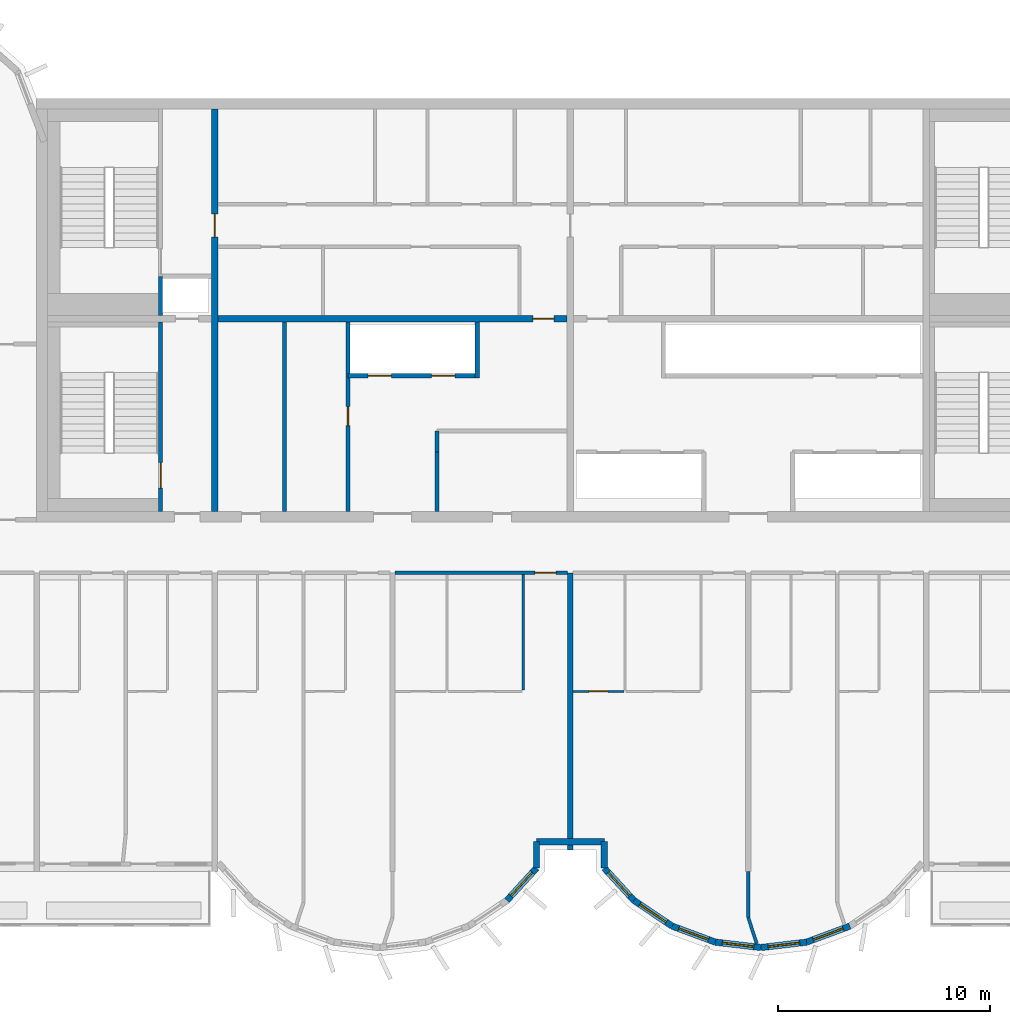
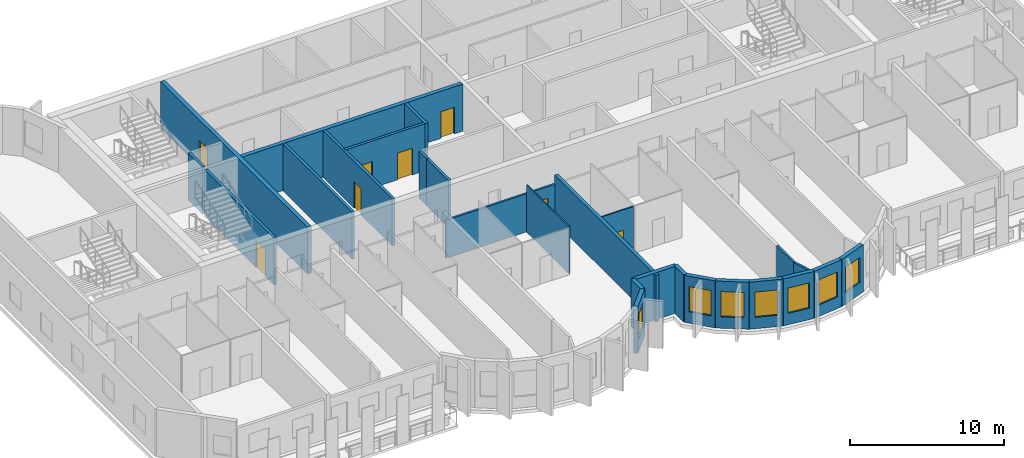
# One storey, part 4 of 12: 26 walls, 8 doors, 7 windows, 15 openings.
"""IFC4 building model written with IfcOpenShell, lengths in metres."""

from ifc_helpers import new_model, si_unit, direction, frame, frame_2d, origin, place, context, subcontext, project, spatial, rectangle, extrude, source, transform, mapped, material, layer, layer_set, type_object, element, fill, save


model = new_model("IFC4")

# Units and contexts
model_context = context("Model", 3, precision=1e-05, world=origin(), true_north=direction((0.0, 1.0)))
body_context = subcontext(model_context, "Body", "Model", "MODEL_VIEW")
ifc_project = project(units=[si_unit("LENGTHUNIT", "METRE"), si_unit("AREAUNIT", "SQUARE_METRE"), si_unit("VOLUMEUNIT", "CUBIC_METRE"), si_unit("PLANEANGLEUNIT", "RADIAN"), si_unit("MASSUNIT", "GRAM", prefix="KILO")], contexts=[model_context])

# Site, building, storey
site_placement = place(None, origin())
site = spatial("IfcSite", under=ifc_project, at=site_placement, CompositionType="ELEMENT")
building_placement = place(site_placement, origin())
building = spatial("IfcBuilding", under=site, at=building_placement, Name="Vanashikhar Sky Hotel", CompositionType="ELEMENT")
storey_placement = place(building_placement, frame((0.0, 0.0, 297.699951171875)))
storey = spatial("IfcBuildingStorey", under=building, at=storey_placement, Name="L71", CompositionType="ELEMENT", Elevation=297.699951171875)

# Wall, opening, door
ifc_material_1 = material(Name="Concrete M50", Category="concrete")
ifc_layer_1 = layer(ifc_material_1, 0.300048828125)
ifc_layer_set_1 = layer_set([ifc_layer_1], Name="RC core inner wall 300 Concrete M50")
wall_type_1 = type_object("IfcWallType", Name="RC core inner wall 300 Concrete M50", PredefinedType="SHEAR", material=ifc_layer_set_1)
shared_shape_1 = source(origin(), body_context, "Body", "SweptSolid", [
    extrude(rectangle(XDim=19.0, YDim=0.300048828125, at=frame_2d((9.5, 0.0))), origin(), (0.0, 0.0, 1.0), 3.719970703125),
])
wall_1_placement = place(storey_placement, frame((33.60009765625, 22.5, 0.0), z_axis=(0.0, 0.0, 1.0), x_axis=(0.0, 1.0, 0.0)))
wall_1 = element("IfcWall", 1, at=wall_1_placement, inside=storey, type_object=wall_type_1, Name="KW-L71-KX1", PredefinedType="SHEAR", context=body_context, shape_type="MappedRepresentation", body=[
    mapped(shared_shape_1, transform((0.0, 0.0, 0.0), scale=1.0)),
])
shared_shape_2 = source(origin(), body_context, "Body", "SweptSolid", [
    extrude(rectangle(XDim=1.10009765625, YDim=2.10009765625, at=frame_2d((0.550048828125, 1.050048828125))), frame((0.0, 0.16015625, 0.0), z_axis=(0.0, -1.0, 0.0), x_axis=(1.0, 0.0, 0.0)), (0.0, 0.0, 1.0), 0.320068359375),
])
opening_1_placement = place(wall_1_placement, frame((12.949951171875, 0.0, 0.0)))
opening_1 = element("IfcOpeningElement", 2, at=opening_1_placement, cuts=wall_1, Name="Opening DC-4-C", PredefinedType="OPENING", context=body_context, shape_type="MappedRepresentation", body=[
    mapped(shared_shape_2, transform((0.0, 0.0, 0.0), scale=1.0)),
])
ifc_material_2 = material(Name="Steel", Category="steel")
door_type_1 = type_object("IfcDoorType", Name="Service door 1100 FD60", OperationType="NOTDEFINED", PredefinedType="DOOR", material=ifc_material_2)
shared_shape_3 = source(origin(), body_context, "Body", "SweptSolid", [
    extrude(rectangle(XDim=1.10009765625, YDim=2.10009765625, at=frame_2d((0.550048828125, 1.050048828125))), frame((0.0, 0.02490234375, 0.0), z_axis=(0.0, -1.0, 0.0), x_axis=(1.0, 0.0, 0.0)), (0.0, 0.0, 1.0), 0.050048828125),
])
door_1_placement = place(opening_1_placement, origin())
door_1 = element("IfcDoor", 3, at=door_1_placement, inside=storey, type_object=door_type_1, Name="Service door 1100 FD60", OperationType="SINGLE_SWING_RIGHT", OverallHeight=2.10009765625, OverallWidth=1.10009765625, PredefinedType="DOOR", context=body_context, shape_type="MappedRepresentation", body=[
    mapped(shared_shape_3, transform((0.0, 0.0, 0.0), scale=1.0)),
])
fill(opening_1, door_1)

shared_shape_4 = source(origin(), body_context, "Body", "SweptSolid", [
    extrude(rectangle(XDim=16.5, YDim=0.300048828125, at=frame_2d((8.25, 0.0))), origin(), (0.0, 0.0, 1.0), 3.719970703125),
])
wall_2_placement = place(storey_placement, frame((33.75, 31.60009765625, 0.0), z_axis=(0.0, 0.0, 1.0), x_axis=(1.0, 0.0, 0.0)))
wall_2 = element("IfcWall", 4, at=wall_2_placement, inside=storey, type_object=wall_type_1, Name="KW-L71-KY2", PredefinedType="SHEAR", context=body_context, shape_type="MappedRepresentation", body=[
    mapped(shared_shape_4, transform((0.0, 0.0, 0.0), scale=1.0)),
])
shared_shape_5 = source(origin(), body_context, "Body", "SweptSolid", [
    extrude(rectangle(XDim=1.0, YDim=2.10009765625, at=frame_2d((0.5, 1.050048828125))), frame((0.0, 0.16015625, 0.0), z_axis=(0.0, -1.0, 0.0), x_axis=(1.0, 0.0, 0.0)), (0.0, 0.0, 1.0), 0.320068359375),
])
opening_2_placement = place(wall_2_placement, frame((14.875, 0.0, 0.0)))
opening_2 = element("IfcOpeningElement", 5, at=opening_2_placement, cuts=wall_2, Name="Opening DC-4", PredefinedType="OPENING", context=body_context, shape_type="MappedRepresentation", body=[
    mapped(shared_shape_5, transform((0.0, 0.0, 0.0), scale=1.0)),
])
door_type_2 = type_object("IfcDoorType", Name="Service door 1000 FD60", OperationType="NOTDEFINED", PredefinedType="DOOR", material=ifc_material_2)
shared_shape_6 = source(origin(), body_context, "Body", "SweptSolid", [
    extrude(rectangle(XDim=1.0, YDim=2.10009765625, at=frame_2d((0.5, 1.050048828125))), frame((0.0, 0.02490234375, 0.0), z_axis=(0.0, -1.0, 0.0), x_axis=(1.0, 0.0, 0.0)), (0.0, 0.0, 1.0), 0.050048828125),
])
door_2_placement = place(opening_2_placement, origin())
door_2 = element("IfcDoor", 6, at=door_2_placement, inside=storey, type_object=door_type_2, Name="Service door 1000 FD60", OperationType="SINGLE_SWING_LEFT", OverallHeight=2.10009765625, OverallWidth=1.0, PredefinedType="DOOR", context=body_context, shape_type="MappedRepresentation", body=[
    mapped(shared_shape_6, transform((0.0, 0.0, 0.0), scale=1.0)),
])
fill(opening_2, door_2)

# Wall
ifc_layer_2 = layer(ifc_material_1, 0.25)
ifc_layer_set_2 = layer_set([ifc_layer_2], Name="RC shear wall 250 Concrete M50")
wall_type_2 = type_object("IfcWallType", Name="RC shear wall 250 Concrete M50", PredefinedType="SHEAR", material=ifc_layer_set_2)
shared_shape_7 = source(origin(), body_context, "Body", "SweptSolid", [
    extrude(rectangle(XDim=13.10009765625, YDim=0.25, at=frame_2d((6.550048828125, 0.0))), origin(), (0.0, 0.0, 1.0), 3.719970703125),
])
wall_3_placement = place(storey_placement, frame((50.39990234375, 6.5, 0.0), z_axis=(0.0, 0.0, 1.0), x_axis=(0.0, 1.0, 0.0)))
element("IfcWall", 7, at=wall_3_placement, inside=storey, type_object=wall_type_2, Name="CW-L71-XW07-1", PredefinedType="SHEAR", context=body_context, shape_type="MappedRepresentation", body=[
    mapped(shared_shape_7, transform((0.0, 0.0, 0.0), scale=1.0)),
])

# Wall, opening, window
ifc_layer_3 = layer(ifc_material_1, 0.300048828125)
ifc_layer_set_3 = layer_set([ifc_layer_3], Name="Lobe wall 300")
wall_type_3 = type_object("IfcWallType", Name="Lobe wall 300", PredefinedType="SOLIDWALL", material=ifc_layer_set_3)
shared_shape_8 = source(origin(), body_context, "Body", "SweptSolid", [
    extrude(rectangle(XDim=2.17578125, YDim=0.300048828125, at=frame_2d((1.087890625, 0.0))), origin(), (0.0, 0.0, 1.0), 3.719970703125),
])
wall_4_placement = place(storey_placement, frame((53.395751953125, 4.13134765625, 0.0), z_axis=(0.0, 0.0, 1.0), x_axis=(0.829590746428, -0.558371913192, 0.0)))
wall_4 = element("IfcWall", 8, at=wall_4_placement, inside=storey, type_object=wall_type_3, Name="Lobe wall", PredefinedType="SOLIDWALL", context=body_context, shape_type="MappedRepresentation", body=[
    mapped(shared_shape_8, transform((0.0, 0.0, 0.0), scale=1.0)),
])
shared_shape_9 = source(origin(), body_context, "Body", "SweptSolid", [
    extrude(rectangle(XDim=1.5, YDim=2.0, at=frame_2d((0.75, 1.0))), frame((0.0, 0.16015625, 0.0), z_axis=(0.0, -1.0, 0.0), x_axis=(1.0, 0.0, 0.0)), (0.0, 0.0, 1.0), 0.320068359375),
])
opening_3_placement = place(wall_4_placement, frame((0.337890625, 0.0, 0.89990234375)))
opening_3 = element("IfcOpeningElement", 9, at=opening_3_placement, cuts=wall_4, Name="Opening WN-2", PredefinedType="OPENING", context=body_context, shape_type="MappedRepresentation", body=[
    mapped(shared_shape_9, transform((0.0, 0.0, 0.0), scale=1.0)),
])
ifc_material_3 = material(Name="Glass", Category="glass")
window_type = type_object("IfcWindowType", Name="Lobe window 1500 x 2000", PartitioningType="SINGLE_PANEL", PredefinedType="WINDOW", material=ifc_material_3)
shared_shape_10 = source(origin(), body_context, "Body", "SweptSolid", [
    extrude(rectangle(XDim=1.5, YDim=2.0, at=frame_2d((0.75, 1.0))), frame((0.0, 0.030029296875, 0.0), z_axis=(0.0, -1.0, 0.0), x_axis=(1.0, 0.0, 0.0)), (0.0, 0.0, 1.0), 0.06005859375),
])
window_1_placement = place(opening_3_placement, origin())
window_1 = element("IfcWindow", 10, at=window_1_placement, inside=storey, type_object=window_type, Name="Window WN-2", OverallHeight=2.0, OverallWidth=1.5, PartitioningType="SINGLE_PANEL", PredefinedType="WINDOW", context=body_context, shape_type="MappedRepresentation", body=[
    mapped(shared_shape_10, transform((0.0, 0.0, 0.0), scale=1.0)),
])
fill(opening_3, window_1)

wall_5_placement = place(storey_placement, frame((55.20068359375, 2.91650390625, 0.0), z_axis=(0.0, 0.0, 1.0), x_axis=(0.93754555999, -0.347862505801, 0.0)))
wall_5 = element("IfcWall", 11, at=wall_5_placement, inside=storey, type_object=wall_type_3, Name="Lobe wall", PredefinedType="SOLIDWALL", context=body_context, shape_type="MappedRepresentation", body=[
    mapped(shared_shape_8, transform((0.0, 0.0, 0.0), scale=1.0)),
])
opening_4_placement = place(wall_5_placement, frame((0.337890625, 0.0, 0.89990234375)))
opening_4 = element("IfcOpeningElement", 12, at=opening_4_placement, cuts=wall_5, Name="Opening WN-2", PredefinedType="OPENING", context=body_context, shape_type="MappedRepresentation", body=[
    mapped(shared_shape_9, transform((0.0, 0.0, 0.0), scale=1.0)),
])
window_2_placement = place(opening_4_placement, origin())
window_2 = element("IfcWindow", 13, at=window_2_placement, inside=storey, type_object=window_type, Name="Window WN-2", OverallHeight=2.0, OverallWidth=1.5, PartitioningType="SINGLE_PANEL", PredefinedType="WINDOW", context=body_context, shape_type="MappedRepresentation", body=[
    mapped(shared_shape_10, transform((0.0, 0.0, 0.0), scale=1.0)),
])
fill(opening_4, window_2)

shared_shape_11 = source(origin(), body_context, "Body", "SweptSolid", [
    extrude(rectangle(XDim=2.174560546875, YDim=0.300048828125, at=frame_2d((1.08740234375, 0.0))), origin(), (0.0, 0.0, 1.0), 3.719970703125),
])
wall_6_placement = place(storey_placement, frame((57.240478515625, 2.15966796875, 0.0), z_axis=(0.0, 0.0, 1.0), x_axis=(0.993001132889, -0.118104826659, 0.0)))
wall_6 = element("IfcWall", 14, at=wall_6_placement, inside=storey, type_object=wall_type_3, Name="Lobe wall", PredefinedType="SOLIDWALL", context=body_context, shape_type="MappedRepresentation", body=[
    mapped(shared_shape_11, transform((0.0, 0.0, 0.0), scale=1.0)),
])
opening_5_placement = place(wall_6_placement, frame((0.33740234375, 0.0, 0.89990234375)))
opening_5 = element("IfcOpeningElement", 15, at=opening_5_placement, cuts=wall_6, Name="Opening WN-2", PredefinedType="OPENING", context=body_context, shape_type="MappedRepresentation", body=[
    mapped(shared_shape_9, transform((0.0, 0.0, 0.0), scale=1.0)),
])
window_3_placement = place(opening_5_placement, origin())
window_3 = element("IfcWindow", 16, at=window_3_placement, inside=storey, type_object=window_type, Name="Window WN-2", OverallHeight=2.0, OverallWidth=1.5, PartitioningType="SINGLE_PANEL", PredefinedType="WINDOW", context=body_context, shape_type="MappedRepresentation", body=[
    mapped(shared_shape_10, transform((0.0, 0.0, 0.0), scale=1.0)),
])
fill(opening_5, window_3)

shared_shape_12 = source(origin(), body_context, "Body", "SweptSolid", [
    extrude(rectangle(XDim=2.1748046875, YDim=0.300048828125, at=frame_2d((1.08740234375, 0.0))), origin(), (0.0, 0.0, 1.0), 3.719970703125),
])
wall_7_placement = place(storey_placement, frame((59.39990234375, 1.90283203125, 0.0), z_axis=(0.0, 0.0, 1.0), x_axis=(0.993002698611, 0.118091661648, 0.0)))
wall_7 = element("IfcWall", 17, at=wall_7_placement, inside=storey, type_object=wall_type_3, Name="Lobe wall", PredefinedType="SOLIDWALL", context=body_context, shape_type="MappedRepresentation", body=[
    mapped(shared_shape_12, transform((0.0, 0.0, 0.0), scale=1.0)),
])
opening_6_placement = place(wall_7_placement, frame((0.33740234375, 0.0, 0.89990234375)))
opening_6 = element("IfcOpeningElement", 18, at=opening_6_placement, cuts=wall_7, Name="Opening WN-2", PredefinedType="OPENING", context=body_context, shape_type="MappedRepresentation", body=[
    mapped(shared_shape_9, transform((0.0, 0.0, 0.0), scale=1.0)),
])
window_4_placement = place(opening_6_placement, origin())
window_4 = element("IfcWindow", 19, at=window_4_placement, inside=storey, type_object=window_type, Name="Window WN-2", OverallHeight=2.0, OverallWidth=1.5, PartitioningType="SINGLE_PANEL", PredefinedType="WINDOW", context=body_context, shape_type="MappedRepresentation", body=[
    mapped(shared_shape_10, transform((0.0, 0.0, 0.0), scale=1.0)),
])
fill(opening_6, window_4)

shared_shape_13 = source(origin(), body_context, "Body", "SweptSolid", [
    extrude(rectangle(XDim=2.175537109375, YDim=0.300048828125, at=frame_2d((1.087890625, 0.0))), origin(), (0.0, 0.0, 1.0), 3.719970703125),
])
wall_8_placement = place(storey_placement, frame((61.5595703125, 2.15966796875, 0.0), z_axis=(0.0, 0.0, 1.0), x_axis=(0.937531979054, 0.347899106424, 0.0)))
wall_8 = element("IfcWall", 20, at=wall_8_placement, inside=storey, type_object=wall_type_3, Name="Lobe wall", PredefinedType="SOLIDWALL", context=body_context, shape_type="MappedRepresentation", body=[
    mapped(shared_shape_13, transform((0.0, 0.0, 0.0), scale=1.0)),
])
opening_7_placement = place(wall_8_placement, frame((0.337890625, 0.0, 0.89990234375)))
opening_7 = element("IfcOpeningElement", 21, at=opening_7_placement, cuts=wall_8, Name="Opening WN-2", PredefinedType="OPENING", context=body_context, shape_type="MappedRepresentation", body=[
    mapped(shared_shape_9, transform((0.0, 0.0, 0.0), scale=1.0)),
])
window_5_placement = place(opening_7_placement, origin())
window_5 = element("IfcWindow", 22, at=window_5_placement, inside=storey, type_object=window_type, Name="Window WN-2", OverallHeight=2.0, OverallWidth=1.5, PartitioningType="SINGLE_PANEL", PredefinedType="WINDOW", context=body_context, shape_type="MappedRepresentation", body=[
    mapped(shared_shape_10, transform((0.0, 0.0, 0.0), scale=1.0)),
])
fill(opening_7, window_5)

shared_shape_14 = source(origin(), body_context, "Body", "SweptSolid", [
    extrude(rectangle(XDim=2.066650390625, YDim=0.300048828125, at=frame_2d((1.033203125, 0.0))), origin(), (0.0, 0.0, 1.0), 3.719970703125),
])
wall_9_placement = place(storey_placement, frame((47.404296875, 4.13134765625, 0.0), z_axis=(0.0, 0.0, 1.0), x_axis=(0.675355439877, 0.737492393065, 0.0)))
wall_9 = element("IfcWall", 23, at=wall_9_placement, inside=storey, type_object=wall_type_3, Name="Lobe wall", PredefinedType="SOLIDWALL", context=body_context, shape_type="MappedRepresentation", body=[
    mapped(shared_shape_14, transform((0.0, 0.0, 0.0), scale=1.0)),
])
opening_8_placement = place(wall_9_placement, frame((0.283447265625, 0.0, 0.89990234375)))
opening_8 = element("IfcOpeningElement", 24, at=opening_8_placement, cuts=wall_9, Name="Opening WN-2", PredefinedType="OPENING", context=body_context, shape_type="MappedRepresentation", body=[
    mapped(shared_shape_9, transform((0.0, 0.0, 0.0), scale=1.0)),
])
window_6_placement = place(opening_8_placement, origin())
window_6 = element("IfcWindow", 25, at=window_6_placement, inside=storey, type_object=window_type, Name="Window WN-2", OverallHeight=2.0, OverallWidth=1.5, PartitioningType="SINGLE_PANEL", PredefinedType="WINDOW", context=body_context, shape_type="MappedRepresentation", body=[
    mapped(shared_shape_10, transform((0.0, 0.0, 0.0), scale=1.0)),
])
fill(opening_8, window_6)

wall_10_placement = place(storey_placement, frame((52.0, 5.655517578125, 0.0), z_axis=(0.0, 0.0, 1.0), x_axis=(0.675355439877, -0.737492393065, 0.0)))
wall_10 = element("IfcWall", 26, at=wall_10_placement, inside=storey, type_object=wall_type_3, Name="Lobe wall", PredefinedType="SOLIDWALL", context=body_context, shape_type="MappedRepresentation", body=[
    mapped(shared_shape_14, transform((0.0, 0.0, 0.0), scale=1.0)),
])
opening_9_placement = place(wall_10_placement, frame((0.283447265625, 0.0, 0.89990234375)))
opening_9 = element("IfcOpeningElement", 27, at=opening_9_placement, cuts=wall_10, Name="Opening WN-2", PredefinedType="OPENING", context=body_context, shape_type="MappedRepresentation", body=[
    mapped(shared_shape_9, transform((0.0, 0.0, 0.0), scale=1.0)),
])
window_7_placement = place(opening_9_placement, origin())
window_7 = element("IfcWindow", 28, at=window_7_placement, inside=storey, type_object=window_type, Name="Window WN-2", OverallHeight=2.0, OverallWidth=1.5, PartitioningType="SINGLE_PANEL", PredefinedType="WINDOW", context=body_context, shape_type="MappedRepresentation", body=[
    mapped(shared_shape_10, transform((0.0, 0.0, 0.0), scale=1.0)),
])
fill(opening_9, window_7)

# Walls
shared_shape_15 = source(origin(), body_context, "Body", "SweptSolid", [
    extrude(rectangle(XDim=1.244384765625, YDim=0.300048828125, at=frame_2d((0.6220703125, 0.0))), origin(), (0.0, 0.0, 1.0), 3.719970703125),
])
for number, where, z_axis, x_axis, name in (
    (29, (48.800048828125, 5.655517578125, 0.0), (0.0, 0.0, 1.0), (0.0, 1.0, 0.0), "Groove wall"),
    (30, (52.0, 6.89990234375, 0.0), (0.0, 0.0, 1.0), (0.0, -1.0, 0.0), "Groove wall"),
):
    element("IfcWall", number, at=place(storey_placement, frame(where, z_axis=z_axis, x_axis=x_axis)), inside=storey, type_object=wall_type_3, Name=name, PredefinedType="SOLIDWALL", context=body_context, shape_type="MappedRepresentation", body=[
        mapped(shared_shape_15, transform((0.0, 0.0, 0.0), scale=1.0)),
    ])
shared_shape_16 = source(origin(), body_context, "Body", "SweptSolid", [
    extrude(rectangle(XDim=3.199951171875, YDim=0.300048828125, at=frame_2d((1.60009765625, 0.0))), origin(), (0.0, 0.0, 1.0), 3.719970703125),
])
wall_11_placement = place(storey_placement, frame((48.800048828125, 6.89990234375, 0.0), z_axis=(0.0, 0.0, 1.0), x_axis=(1.0, 0.0, 0.0)))
element("IfcWall", 31, at=wall_11_placement, inside=storey, type_object=wall_type_3, Name="Groove wall", PredefinedType="SOLIDWALL", context=body_context, shape_type="MappedRepresentation", body=[
    mapped(shared_shape_16, transform((0.0, 0.0, 0.0), scale=1.0)),
])

# Wall, openings, doors
ifc_material_4 = material(Name="Concrete M40", Category="concrete")
ifc_layer_4 = layer(ifc_material_4, 0.199951171875)
ifc_layer_set_4 = layer_set([ifc_layer_4], Name="Shaft wall 200")
wall_type_4 = type_object("IfcWallType", Name="Shaft wall 200", PredefinedType="SOLIDWALL", material=ifc_layer_set_4)
shared_shape_17 = source(origin(), body_context, "Body", "SweptSolid", [
    extrude(rectangle(XDim=6.0, YDim=0.199951171875, at=frame_2d((3.0, 0.0))), origin(), (0.0, 0.0, 1.0), 3.719970703125),
])
wall_12_placement = place(storey_placement, frame((39.89990234375, 28.89990234375, 0.0), z_axis=(0.0, 0.0, 1.0), x_axis=(1.0, 0.0, 0.0)))
wall_12 = element("IfcWall", 32, at=wall_12_placement, inside=storey, type_object=wall_type_4, Name="Shaft wall 200", PredefinedType="SOLIDWALL", context=body_context, shape_type="MappedRepresentation", body=[
    mapped(shared_shape_17, transform((0.0, 0.0, 0.0), scale=1.0)),
])
shared_shape_18 = source(origin(), body_context, "Body", "SweptSolid", [
    extrude(rectangle(XDim=1.10009765625, YDim=2.10009765625, at=frame_2d((0.550048828125, 1.050048828125))), frame((0.0, 0.10986328125, 0.0), z_axis=(0.0, -1.0, 0.0), x_axis=(1.0, 0.0, 0.0)), (0.0, 0.0, 1.0), 0.219970703125),
])
opening_10_placement = place(wall_12_placement, frame((0.949951171875, 0.0, 0.0)))
opening_10 = element("IfcOpeningElement", 33, at=opening_10_placement, cuts=wall_12, Name="Opening LD", PredefinedType="OPENING", context=body_context, shape_type="MappedRepresentation", body=[
    mapped(shared_shape_18, transform((0.0, 0.0, 0.0), scale=1.0)),
])
opening_11_placement = place(wall_12_placement, frame((3.949951171875, 0.0, 0.0)))
opening_11 = element("IfcOpeningElement", 34, at=opening_11_placement, cuts=wall_12, Name="Opening LD", PredefinedType="OPENING", context=body_context, shape_type="MappedRepresentation", body=[
    mapped(shared_shape_18, transform((0.0, 0.0, 0.0), scale=1.0)),
])
ifc_material_5 = material(Name="Stainless steel", Category="steel")
door_type_3 = type_object("IfcDoorType", Name="Lift landing door 1100", OperationType="NOTDEFINED", PredefinedType="DOOR", material=ifc_material_5)
door_3_placement = place(opening_10_placement, origin())
door_3 = element("IfcDoor", 35, at=door_3_placement, inside=storey, type_object=door_type_3, Name="Lift landing door 1100", OperationType="SLIDING_TO_LEFT", OverallHeight=2.10009765625, OverallWidth=1.10009765625, PredefinedType="DOOR", context=body_context, shape_type="MappedRepresentation", body=[
    mapped(shared_shape_3, transform((0.0, 0.0, 0.0), scale=1.0)),
])
fill(opening_10, door_3)
door_4_placement = place(opening_11_placement, origin())
door_4 = element("IfcDoor", 36, at=door_4_placement, inside=storey, type_object=door_type_3, Name="Lift landing door 1100", OperationType="SLIDING_TO_RIGHT", OverallHeight=2.10009765625, OverallWidth=1.10009765625, PredefinedType="DOOR", context=body_context, shape_type="MappedRepresentation", body=[
    mapped(shared_shape_3, transform((0.0, 0.0, 0.0), scale=1.0)),
])
fill(opening_11, door_4)

# Wall, opening, door
ifc_material_6 = material(Name="Gypsum board partition")
ifc_layer_5 = layer(ifc_material_6, 0.14990234375)
ifc_layer_set_5 = layer_set([ifc_layer_5], Name="Service partition 150")
wall_type_5 = type_object("IfcWallType", Name="Service partition 150", PredefinedType="PARTITIONING", material=ifc_layer_set_5)
shared_shape_19 = source(origin(), body_context, "Body", "SweptSolid", [
    extrude(rectangle(XDim=8.949951171875, YDim=0.199951171875, at=frame_2d((4.47509765625, 0.0))), origin(), (0.0, 0.0, 1.0), 3.719970703125),
])
wall_13_placement = place(storey_placement, frame((39.89990234375, 22.5, 0.0), z_axis=(0.0, 0.0, 1.0), x_axis=(0.0, 1.0, 0.0)))
wall_13 = element("IfcWall", 37, at=wall_13_placement, inside=storey, type_object=wall_type_5, Name="Service partition 150", PredefinedType="PARTITIONING", context=body_context, shape_type="MappedRepresentation", body=[
    mapped(shared_shape_19, transform((0.0, 0.0, 0.0), scale=1.0)),
])
shared_shape_20 = source(origin(), body_context, "Body", "SweptSolid", [
    extrude(rectangle(XDim=0.89990234375, YDim=2.10009765625, at=frame_2d((0.449951171875, 1.050048828125))), frame((0.0, 0.10986328125, 0.0), z_axis=(0.0, -1.0, 0.0), x_axis=(1.0, 0.0, 0.0)), (0.0, 0.0, 1.0), 0.219970703125),
])
opening_12_placement = place(wall_13_placement, frame((4.050048828125, 0.0, 0.0)))
opening_12 = element("IfcOpeningElement", 38, at=opening_12_placement, cuts=wall_13, Name="Opening DC-4-A", PredefinedType="OPENING", context=body_context, shape_type="MappedRepresentation", body=[
    mapped(shared_shape_20, transform((0.0, 0.0, 0.0), scale=1.0)),
])
door_type_4 = type_object("IfcDoorType", Name="Service door 900 FD60", OperationType="NOTDEFINED", PredefinedType="DOOR", material=ifc_material_2)
shared_shape_21 = source(origin(), body_context, "Body", "SweptSolid", [
    extrude(rectangle(XDim=0.89990234375, YDim=2.10009765625, at=frame_2d((0.449951171875, 1.050048828125))), frame((0.0, 0.02490234375, 0.0), z_axis=(0.0, -1.0, 0.0), x_axis=(1.0, 0.0, 0.0)), (0.0, 0.0, 1.0), 0.050048828125),
])
door_5_placement = place(opening_12_placement, origin())
door_5 = element("IfcDoor", 39, at=door_5_placement, inside=storey, type_object=door_type_4, Name="Service door 900 FD60", OperationType="SINGLE_SWING_LEFT", OverallHeight=2.10009765625, OverallWidth=0.89990234375, PredefinedType="DOOR", context=body_context, shape_type="MappedRepresentation", body=[
    mapped(shared_shape_21, transform((0.0, 0.0, 0.0), scale=1.0)),
])
fill(opening_12, door_5)

# Walls
wall_14_placement = place(storey_placement, frame((36.89990234375, 22.5, 0.0), z_axis=(0.0, 0.0, 1.0), x_axis=(0.0, 1.0, 0.0)))
element("IfcWall", 40, at=wall_14_placement, inside=storey, type_object=wall_type_5, Name="Service partition 150", PredefinedType="PARTITIONING", context=body_context, shape_type="MappedRepresentation", body=[
    mapped(shared_shape_19, transform((0.0, 0.0, 0.0), scale=1.0)),
])
shared_shape_22 = source(origin(), body_context, "Body", "SweptSolid", [
    extrude(rectangle(XDim=2.800048828125, YDim=0.199951171875, at=frame_2d((1.39990234375, 0.0))), origin(), (0.0, 0.0, 1.0), 3.719970703125),
])
wall_15_placement = place(storey_placement, frame((44.10009765625, 22.5, 0.0), z_axis=(0.0, 0.0, 1.0), x_axis=(0.0, 1.0, 0.0)))
element("IfcWall", 41, at=wall_15_placement, inside=storey, type_object=wall_type_5, Name="Service partition 150", PredefinedType="PARTITIONING", context=body_context, shape_type="MappedRepresentation", body=[
    mapped(shared_shape_22, transform((0.0, 0.0, 0.0), scale=1.0)),
])
shared_shape_23 = source(origin(), body_context, "Body", "SweptSolid", [
    extrude(rectangle(XDim=2.64990234375, YDim=0.199951171875, at=frame_2d((1.324951171875, 0.0))), origin(), (0.0, 0.0, 1.0), 3.719970703125),
])
wall_16_placement = place(storey_placement, frame((46.0, 28.800048828125, 0.0), z_axis=(0.0, 0.0, 1.0), x_axis=(0.0, 1.0, 0.0)))
element("IfcWall", 42, at=wall_16_placement, inside=storey, type_object=wall_type_4, Name="Shaft wall 200", PredefinedType="SOLIDWALL", context=body_context, shape_type="MappedRepresentation", body=[
    mapped(shared_shape_23, transform((0.0, 0.0, 0.0), scale=1.0)),
])
shared_shape_24 = source(origin(), body_context, "Body", "SweptSolid", [
    extrude(rectangle(XDim=1.0, YDim=0.199951171875, at=frame_2d((0.5, 0.0))), origin(), (0.0, 0.0, 1.0), 3.719970703125),
])
wall_17_placement = place(storey_placement, frame((44.10009765625, 25.300048828125, 0.0), z_axis=(0.0, 0.0, 1.0), x_axis=(0.0, 1.0, 0.0)))
element("IfcWall", 43, at=wall_17_placement, inside=storey, type_object=wall_type_5, Name="Service partition 150", PredefinedType="PARTITIONING", context=body_context, shape_type="MappedRepresentation", body=[
    mapped(shared_shape_24, transform((0.0, 0.0, 0.0), scale=1.0)),
])

# Wall, opening, door
ifc_layer_6 = layer(ifc_material_1, 0.199951171875)
ifc_layer_set_6 = layer_set([ifc_layer_6], Name="Stair wall 200")
wall_type_6 = type_object("IfcWallType", Name="Stair wall 200", PredefinedType="SOLIDWALL", material=ifc_layer_set_6)
shared_shape_25 = source(origin(), body_context, "Body", "SweptSolid", [
    extrude(rectangle(XDim=8.949951171875, YDim=0.199951171875, at=frame_2d((4.47509765625, 0.0))), origin(), (0.0, 0.0, 1.0), 3.719970703125),
])
wall_18_placement = place(storey_placement, frame((31.050048828125, 22.5, 0.0), z_axis=(0.0, 0.0, 1.0), x_axis=(0.0, 1.0, 0.0)))
wall_18 = element("IfcWall", 44, at=wall_18_placement, inside=storey, type_object=wall_type_6, Name="Stair wall 200", PredefinedType="SOLIDWALL", context=body_context, shape_type="MappedRepresentation", body=[
    mapped(shared_shape_25, transform((0.0, 0.0, 0.0), scale=1.0)),
])
shared_shape_26 = source(origin(), body_context, "Body", "SweptSolid", [
    extrude(rectangle(XDim=1.199951171875, YDim=2.10009765625, at=frame_2d((0.60009765625, 1.050048828125))), frame((0.0, 0.10986328125, 0.0), z_axis=(0.0, -1.0, 0.0), x_axis=(1.0, 0.0, 0.0)), (0.0, 0.0, 1.0), 0.219970703125),
])
opening_13_placement = place(wall_18_placement, frame((1.10009765625, 0.0, 0.0)))
opening_13 = element("IfcOpeningElement", 45, at=opening_13_placement, cuts=wall_18, Name="Opening DC-1", PredefinedType="OPENING", context=body_context, shape_type="MappedRepresentation", body=[
    mapped(shared_shape_26, transform((0.0, 0.0, 0.0), scale=1.0)),
])
door_type_5 = type_object("IfcDoorType", Name="Stair door 1200 FD120", OperationType="NOTDEFINED", PredefinedType="DOOR", material=ifc_material_2)
shared_shape_27 = source(origin(), body_context, "Body", "SweptSolid", [
    extrude(rectangle(XDim=1.199951171875, YDim=2.10009765625, at=frame_2d((0.60009765625, 1.050048828125))), frame((0.0, 0.02490234375, 0.0), z_axis=(0.0, -1.0, 0.0), x_axis=(1.0, 0.0, 0.0)), (0.0, 0.0, 1.0), 0.050048828125),
])
door_6_placement = place(opening_13_placement, origin())
door_6 = element("IfcDoor", 46, at=door_6_placement, inside=storey, type_object=door_type_5, Name="Stair door 1200 FD120", OperationType="SINGLE_SWING_LEFT", OverallHeight=2.10009765625, OverallWidth=1.199951171875, PredefinedType="DOOR", context=body_context, shape_type="MappedRepresentation", body=[
    mapped(shared_shape_27, transform((0.0, 0.0, 0.0), scale=1.0)),
])
fill(opening_13, door_6)

# Wall
shared_shape_28 = source(origin(), body_context, "Body", "SweptSolid", [
    extrude(rectangle(XDim=1.85009765625, YDim=0.199951171875, at=frame_2d((0.925048828125, 0.0))), origin(), (0.0, 0.0, 1.0), 3.719970703125),
])
wall_19_placement = place(storey_placement, frame((31.050048828125, 31.75, 0.0), z_axis=(0.0, 0.0, 1.0), x_axis=(0.0, 1.0, 0.0)))
element("IfcWall", 47, at=wall_19_placement, inside=storey, type_object=wall_type_4, Name="Shaft wall 200", PredefinedType="SOLIDWALL", context=body_context, shape_type="MappedRepresentation", body=[
    mapped(shared_shape_28, transform((0.0, 0.0, 0.0), scale=1.0)),
])

# Wall, opening, door
ifc_material_7 = material(Name="Gypsum plasterboard partition")
ifc_layer_7 = layer(ifc_material_7, 0.14990234375)
ifc_layer_set_7 = layer_set([ifc_layer_7], Name="Corridor and demising partition 150")
wall_type_7 = type_object("IfcWallType", Name="Corridor and demising partition 150", PredefinedType="PARTITIONING", material=ifc_layer_set_7)
shared_shape_29 = source(origin(), body_context, "Body", "SweptSolid", [
    extrude(rectangle(XDim=8.14990234375, YDim=0.14990234375, at=frame_2d((4.074951171875, 0.0))), origin(), (0.0, 0.0, 1.0), 3.02001953125),
])
wall_20_placement = place(storey_placement, frame((42.125, 19.60009765625, 0.0), z_axis=(0.0, 0.0, 1.0), x_axis=(1.0, 0.0, 0.0)))
wall_20 = element("IfcWall", 48, at=wall_20_placement, inside=storey, type_object=wall_type_7, Name="W-L71-PW024", PredefinedType="PARTITIONING", context=body_context, shape_type="MappedRepresentation", body=[
    mapped(shared_shape_29, transform((0.0, 0.0, 0.0), scale=1.0)),
])
shared_shape_30 = source(origin(), body_context, "Body", "SweptSolid", [
    extrude(rectangle(XDim=1.0, YDim=2.10009765625, at=frame_2d((0.5, 1.050048828125))), frame((0.0, 0.0849609375, 0.0), z_axis=(0.0, -1.0, 0.0), x_axis=(1.0, 0.0, 0.0)), (0.0, 0.0, 1.0), 0.169921875),
])
opening_14_placement = place(wall_20_placement, frame((6.60009765625, 0.0, 0.0)))
opening_14 = element("IfcOpeningElement", 49, at=opening_14_placement, cuts=wall_20, Name="Opening D-01", PredefinedType="OPENING", context=body_context, shape_type="MappedRepresentation", body=[
    mapped(shared_shape_30, transform((0.0, 0.0, 0.0), scale=1.0)),
])
ifc_material_8 = material(Name="Timber fire door", Category="wood")
door_type_6 = type_object("IfcDoorType", Name="Guest entry door 1000 FD30S", OperationType="NOTDEFINED", PredefinedType="DOOR", material=ifc_material_8)
door_7_placement = place(opening_14_placement, origin())
door_7 = element("IfcDoor", 50, at=door_7_placement, inside=storey, type_object=door_type_6, Name="D-L71-014", OperationType="SINGLE_SWING_RIGHT", OverallHeight=2.10009765625, OverallWidth=1.0, PredefinedType="DOOR", context=body_context, shape_type="MappedRepresentation", body=[
    mapped(shared_shape_6, transform((0.0, 0.0, 0.0), scale=1.0)),
])
fill(opening_14, door_7)

# Walls
shared_shape_31 = source(origin(), body_context, "Body", "SweptSolid", [
    extrude(rectangle(XDim=2.177978515625, YDim=0.14990234375, at=frame_2d((1.0888671875, 0.0))), origin(), (0.0, 0.0, 1.0), 3.719970703125),
])
wall_21_placement = place(storey_placement, frame((58.800048828125, 3.322021484375, 0.0), z_axis=(0.0, 0.0, 1.0), x_axis=(0.0, 1.0, 0.0)))
element("IfcWall", 51, at=wall_21_placement, inside=storey, type_object=wall_type_7, Name="W-L71-PW048", PredefinedType="PARTITIONING", context=body_context, shape_type="MappedRepresentation", body=[
    mapped(shared_shape_31, transform((0.0, 0.0, 0.0), scale=1.0)),
])
shared_shape_32 = source(origin(), body_context, "Body", "SweptSolid", [
    extrude(rectangle(XDim=1.308349609375, YDim=0.14990234375, at=frame_2d((0.654296875, 0.0))), origin(), (0.0, 0.0, 1.0), 3.719970703125),
])
wall_22_placement = place(storey_placement, frame((59.201904296875, 2.076904296875, 0.0), z_axis=(0.0, 0.0, 1.0), x_axis=(-0.307144529633, 0.951662880392, 0.0)))
element("IfcWall", 52, at=wall_22_placement, inside=storey, type_object=wall_type_7, Name="W-L71-PW048B0", PredefinedType="PARTITIONING", context=body_context, shape_type="MappedRepresentation", body=[
    mapped(shared_shape_32, transform((0.0, 0.0, 0.0), scale=1.0)),
])
ifc_layer_8 = layer(ifc_material_7, 0.10009765625)
ifc_layer_set_8 = layer_set([ifc_layer_8], Name="Wet room partition 100")
wall_type_8 = type_object("IfcWallType", Name="Wet room partition 100", PredefinedType="PARTITIONING", material=ifc_layer_set_8)
shared_shape_33 = source(origin(), body_context, "Body", "SweptSolid", [
    extrude(rectangle(XDim=5.449951171875, YDim=0.10009765625, at=frame_2d((2.72509765625, 0.0))), origin(), (0.0, 0.0, 1.0), 3.719970703125),
])
wall_23_placement = place(storey_placement, frame((48.175048828125, 14.074951171875, 0.0), z_axis=(0.0, 0.0, 1.0), x_axis=(0.0, 1.0, 0.0)))
element("IfcWall", 53, at=wall_23_placement, inside=storey, type_object=wall_type_8, Name="W-L71-PW020", PredefinedType="PARTITIONING", context=body_context, shape_type="MappedRepresentation", body=[
    mapped(shared_shape_33, transform((0.0, 0.0, 0.0), scale=1.0)),
])

# Wall, opening, door
shared_shape_34 = source(origin(), body_context, "Body", "SweptSolid", [
    extrude(rectangle(XDim=2.400146484375, YDim=0.10009765625, at=frame_2d((1.2001953125, 0.0))), origin(), (0.0, 0.0, 1.0), 3.719970703125),
])
wall_24_placement = place(storey_placement, frame((50.52490234375, 14.0, 0.0), z_axis=(0.0, 0.0, 1.0), x_axis=(1.0, 0.0, 0.0)))
wall_24 = element("IfcWall", 54, at=wall_24_placement, inside=storey, type_object=wall_type_8, Name="W-L71-PW028", PredefinedType="PARTITIONING", context=body_context, shape_type="MappedRepresentation", body=[
    mapped(shared_shape_34, transform((0.0, 0.0, 0.0), scale=1.0)),
])
shared_shape_35 = source(origin(), body_context, "Body", "SweptSolid", [
    extrude(rectangle(XDim=0.89990234375, YDim=2.10009765625, at=frame_2d((0.449951171875, 1.050048828125))), frame((0.0, 0.06005859375, 0.0), z_axis=(0.0, -1.0, 0.0), x_axis=(1.0, 0.0, 0.0)), (0.0, 0.0, 1.0), 0.1201171875),
])
opening_15_placement = place(wall_24_placement, frame((0.75, 0.0, 0.0)))
opening_15 = element("IfcOpeningElement", 55, at=opening_15_placement, cuts=wall_24, Name="Opening D-02", PredefinedType="OPENING", context=body_context, shape_type="MappedRepresentation", body=[
    mapped(shared_shape_35, transform((0.0, 0.0, 0.0), scale=1.0)),
])
ifc_material_9 = material(Name="Timber door", Category="wood")
door_type_7 = type_object("IfcDoorType", Name="Internal door 900", OperationType="NOTDEFINED", PredefinedType="DOOR", material=ifc_material_9)
door_8_placement = place(opening_15_placement, origin())
door_8 = element("IfcDoor", 56, at=door_8_placement, inside=storey, type_object=door_type_7, Name="D-L71-016", OperationType="SINGLE_SWING_RIGHT", OverallHeight=2.10009765625, OverallWidth=0.89990234375, PredefinedType="DOOR", context=body_context, shape_type="MappedRepresentation", body=[
    mapped(shared_shape_21, transform((0.0, 0.0, 0.0), scale=1.0)),
])
fill(opening_15, door_8)

save(model, "model.ifc")
